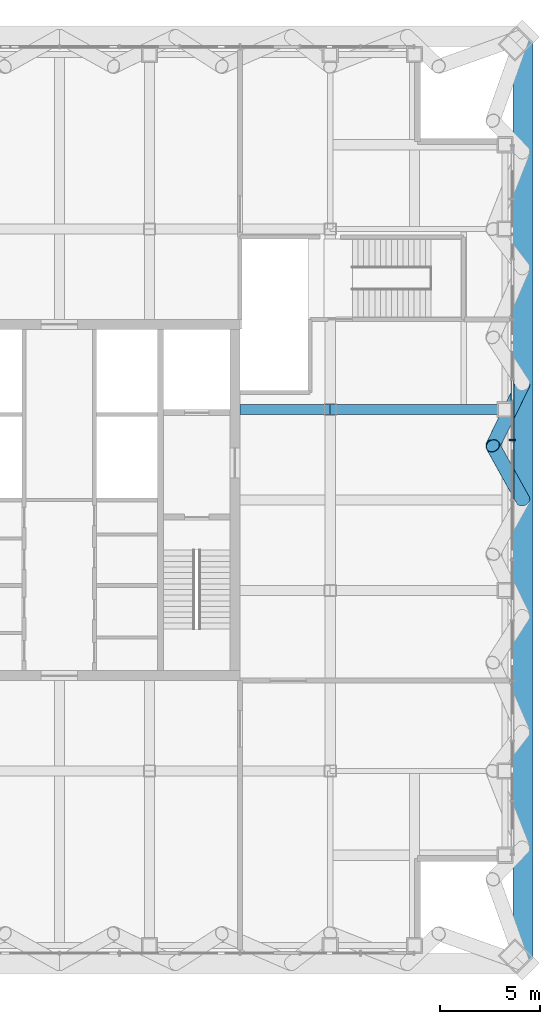
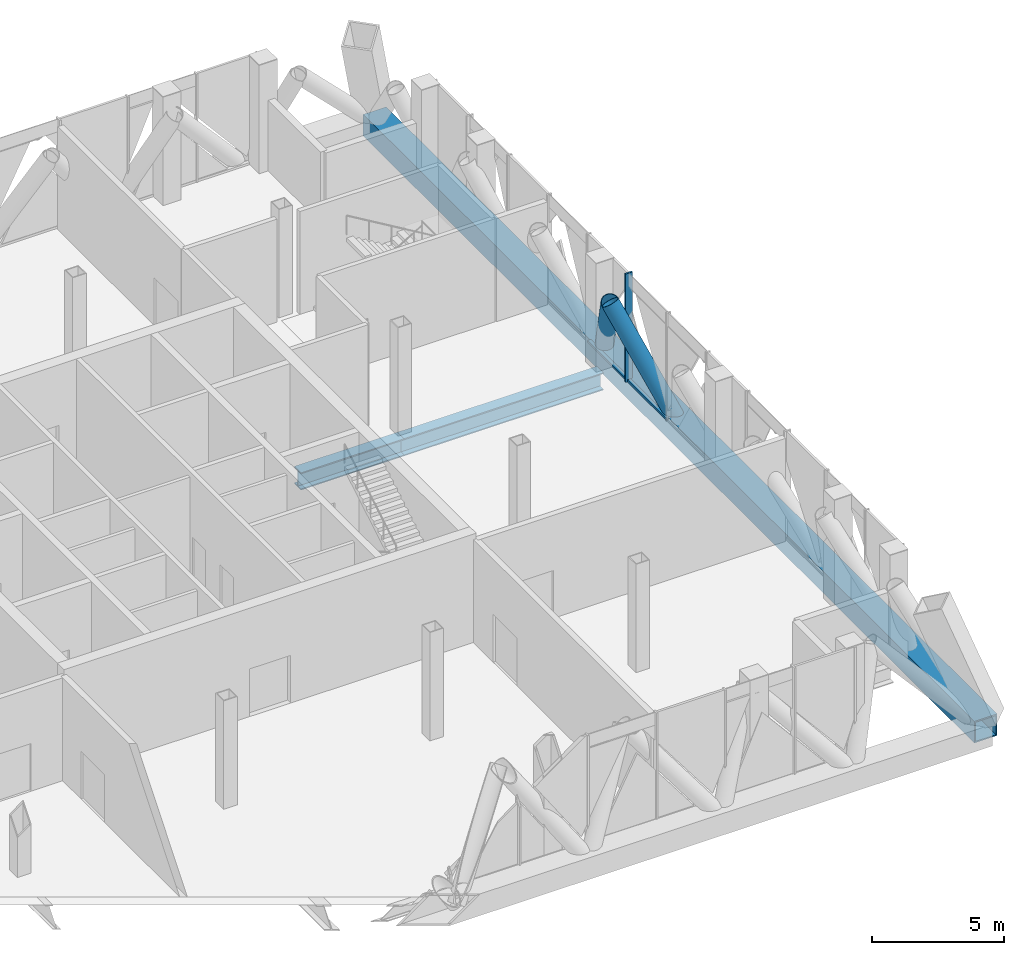
# One storey, part 8 of 27: 6 members, 2 beams, 1 element without a shape of its own.
"""IFC4 building model written with IfcOpenShell, lengths in metres."""

from ifc_helpers import new_model, si_unit, direction, frame, origin, origin_2d, place, context, subcontext, project, spatial, rectangle, hollow_rectangle, hollow_circle, i_section, extrude, material, layer, layer_set, material_profile, profile_set, type_object, element, aggregate, save


model = new_model("IFC4")

# Units and contexts
model_context = context("Model", 3, precision=1e-05, world=origin(), true_north=direction((0.0, 1.0)))
body_context = subcontext(model_context, "Body", "Model", "MODEL_VIEW")
ifc_project = project(units=[si_unit("LENGTHUNIT", "METRE"), si_unit("AREAUNIT", "SQUARE_METRE"), si_unit("VOLUMEUNIT", "CUBIC_METRE"), si_unit("PLANEANGLEUNIT", "RADIAN"), si_unit("MASSUNIT", "GRAM", prefix="KILO")], contexts=[model_context])

# Site, building, storey
site_placement = place(None, origin())
site = spatial("IfcSite", under=ifc_project, at=site_placement, CompositionType="ELEMENT")
building_placement = place(site_placement, origin())
building = spatial("IfcBuilding", under=site, at=building_placement, Name="Malebo Sky Hospital", CompositionType="ELEMENT")
storey_placement = place(building_placement, frame((0.0, 0.0, 245.0)))
storey = spatial("IfcBuildingStorey", under=building, at=storey_placement, Name="L59", CompositionType="ELEMENT", Elevation=245.0)

# Curtain wall, members
ifc_material_1 = material(Name="Anodised aluminium, natural silver", Category="aluminium")
ifc_layer = layer(ifc_material_1, 0.25)
ifc_layer_set = layer_set([ifc_layer], Name="PLANT LOUVRE SCREEN")
curtain_wall_type = type_object("IfcCurtainWallType", Name="PLANT LOUVRE SCREEN", PredefinedType="NOTDEFINED", material=ifc_layer_set)
curtain_wall_placement = place(storey_placement, origin())
curtain_wall = element("IfcCurtainWall", 1, at=curtain_wall_placement, inside=storey, type_object=curtain_wall_type, Name="PLANT curtain wall E", PredefinedType="NOTDEFINED")
ifc_material_profile_1 = material_profile(ifc_material_1, rectangle(XDim=0.14990234375, YDim=0.10009765625, at=origin_2d()), Name="ALUMINIUM TRANSOM 150x100")
ifc_profile_set_1 = profile_set([ifc_material_profile_1], Name="Anodised aluminium, natural silver")
member_type_1 = type_object("IfcMemberType", Name="ALUMINIUM TRANSOM 150x100", PredefinedType="USERDEFINED", material=ifc_profile_set_1)
member_1_placement = place(storey_placement, frame((82.574951171875, 67.96240234375, 0.050048828125), z_axis=(0.0, -1.0, 0.0), x_axis=(1.0, 0.0, 0.0)))
member_1 = element("IfcMember", 2, at=member_1_placement, type_object=member_type_1, Name="Transom 5", ObjectType="TRANSOM", PredefinedType="USERDEFINED", context=body_context, shape_type="SweptSolid", body=[
    extrude(rectangle(XDim=0.14990234375, YDim=0.10009765625, at=origin_2d()), origin(), (0.0, 0.0, 1.0), 2.9248046875),
])
member_2_placement = place(storey_placement, frame((82.574951171875, 64.96240234375, 0.050048828125), z_axis=(0.0, -1.0, 0.0), x_axis=(1.0, 0.0, 0.0)))
member_2 = element("IfcMember", 3, at=member_2_placement, type_object=member_type_1, Name="Transom 6", ObjectType="TRANSOM", PredefinedType="USERDEFINED", context=body_context, shape_type="SweptSolid", body=[
    extrude(rectangle(XDim=0.14990234375, YDim=0.10009765625, at=origin_2d()), origin(), (0.0, 0.0, 1.0), 2.9248046875),
])

# Members
ifc_material_2 = material(Name="Steel S460", Category="steel")
ifc_material_profile_2 = material_profile(ifc_material_2, hollow_circle(Radius=0.35546875, WallThickness=0.02490234375, at=origin_2d()), Name="CHS 711x25")
ifc_profile_set_2 = profile_set([ifc_material_profile_2], Name="Steel S460")
member_type_2 = type_object("IfcMemberType", Name="BELT TRUSS DIAGONAL CHS 711x25", PredefinedType="BRACE", material=ifc_profile_set_2)
member_3_placement = place(storey_placement, frame((83.10009765625, 62.0, -0.39990234375), z_axis=(-0.272770292559, 0.490977647365, 0.827367703797), x_axis=(-0.87415354758, -0.485649642493, 0.0)))
element("IfcMember", 4, at=member_3_placement, inside=storey, type_object=member_type_2, Name="Belt truss diagonal E5.1 L59", PredefinedType="BRACE", context=body_context, shape_type="SweptSolid", body=[
    extrude(hollow_circle(Radius=0.35546875, WallThickness=0.02490234375, at=origin_2d()), origin(), (0.0, 0.0, 1.0), 5.4990234375),
])
member_4_placement = place(storey_placement, frame((81.60009765625, 64.699951171875, 4.14990234375), z_axis=(0.263498548721, 0.540163447452, -0.799244621414), x_axis=(-0.898765702371, 0.438429255686, 0.0)))
element("IfcMember", 5, at=member_4_placement, inside=storey, type_object=member_type_2, Name="Belt truss diagonal E5.2 L59", PredefinedType="BRACE", context=body_context, shape_type="SweptSolid", body=[
    extrude(hollow_circle(Radius=0.35546875, WallThickness=0.02490234375, at=origin_2d()), origin(), (0.0, 0.0, 1.0), 5.692626953125),
])

# Member
ifc_material_profile_3 = material_profile(ifc_material_1, rectangle(XDim=0.074951171875, YDim=0.300048828125, at=origin_2d()), Name="CW5 ALUMINIUM FIN MULLION 75x300")
ifc_profile_set_3 = profile_set([ifc_material_profile_3], Name="Anodised aluminium, natural silver")
member_type_3 = type_object("IfcMemberType", Name="CW5 ALUMINIUM FIN MULLION 75x300", PredefinedType="MULLION", material=ifc_profile_set_3)
member_5_placement = place(storey_placement, frame((82.574951171875, 65.0, 0.0), z_axis=(0.0, 0.0, 1.0), x_axis=(0.0, -1.0, 0.0)))
member_5 = element("IfcMember", 6, at=member_5_placement, type_object=member_type_3, Name="Fin mullion 6", PredefinedType="MULLION", context=body_context, shape_type="SweptSolid", body=[
    extrude(rectangle(XDim=0.074951171875, YDim=0.300048828125, at=origin_2d()), origin(), (0.0, 0.0, 1.0), 5.0),
])

aggregate(curtain_wall, [member_5, member_1, member_2])

# Beams
ifc_material_3 = material(Name="Steel S355", Category="steel")
ifc_material_profile_4 = material_profile(ifc_material_3, i_section(OverallWidth=0.5, OverallDepth=0.800048828125, WebThickness=0.030029296875, FlangeThickness=0.050048828125, at=origin_2d()), Name="PG 800x500x30x50")
ifc_profile_set_4 = profile_set([ifc_material_profile_4], Name="Steel S355")
beam_type = type_object("IfcBeamType", Name="FLOOR BEAM PG 800x500x30x50", PredefinedType="BEAM", material=ifc_profile_set_4)
beam_1_placement = place(storey_placement, frame((69.0, 66.5, -0.64990234375), z_axis=(1.0, 0.0, 0.0), x_axis=(0.0, 1.0, 0.0)))
element("IfcBeam", 7, at=beam_1_placement, inside=storey, type_object=beam_type, Name="Beam 054 L59", PredefinedType="BEAM", context=body_context, shape_type="SweptSolid", body=[
    extrude(i_section(OverallWidth=0.5, OverallDepth=0.800048828125, WebThickness=0.030029296875, FlangeThickness=0.050048828125, at=origin_2d()), origin(), (0.0, 0.0, 1.0), 4.5),
])
beam_2_placement = place(storey_placement, frame((73.5, 66.5, -0.64990234375), z_axis=(1.0, 0.0, 0.0), x_axis=(0.0, 1.0, 0.0)))
element("IfcBeam", 8, at=beam_2_placement, inside=storey, type_object=beam_type, Name="Beam 055 L59", PredefinedType="BEAM", context=body_context, shape_type="SweptSolid", body=[
    extrude(i_section(OverallWidth=0.5, OverallDepth=0.800048828125, WebThickness=0.030029296875, FlangeThickness=0.050048828125, at=origin_2d()), origin(), (0.0, 0.0, 1.0), 8.699951171875),
])

# Member
ifc_material_profile_5 = material_profile(ifc_material_2, hollow_rectangle(XDim=1.0, YDim=1.0, WallThickness=0.06005859375, at=origin_2d()), Name="BOX 1000x1000x60")
ifc_profile_set_5 = profile_set([ifc_material_profile_5], Name="Steel S460")
member_type_4 = type_object("IfcMemberType", Name="MEGA TIE BOX 1000x1000x60", PredefinedType="CHORD", material=ifc_profile_set_5)
member_6_placement = place(storey_placement, frame((83.10009765625, 38.89990234375, -0.39990234375), z_axis=(0.0, 1.0, 0.0), x_axis=(-1.0, 0.0, 0.0)))
element("IfcMember", 9, at=member_6_placement, inside=storey, type_object=member_type_4, Name="Mega tie CE L59", PredefinedType="CHORD", context=body_context, shape_type="SweptSolid", body=[
    extrude(hollow_rectangle(XDim=1.0, YDim=1.0, WallThickness=0.06005859375, at=origin_2d()), origin(), (0.0, 0.0, 1.0), 46.2001953125),
])

save(model, "model.ifc")
